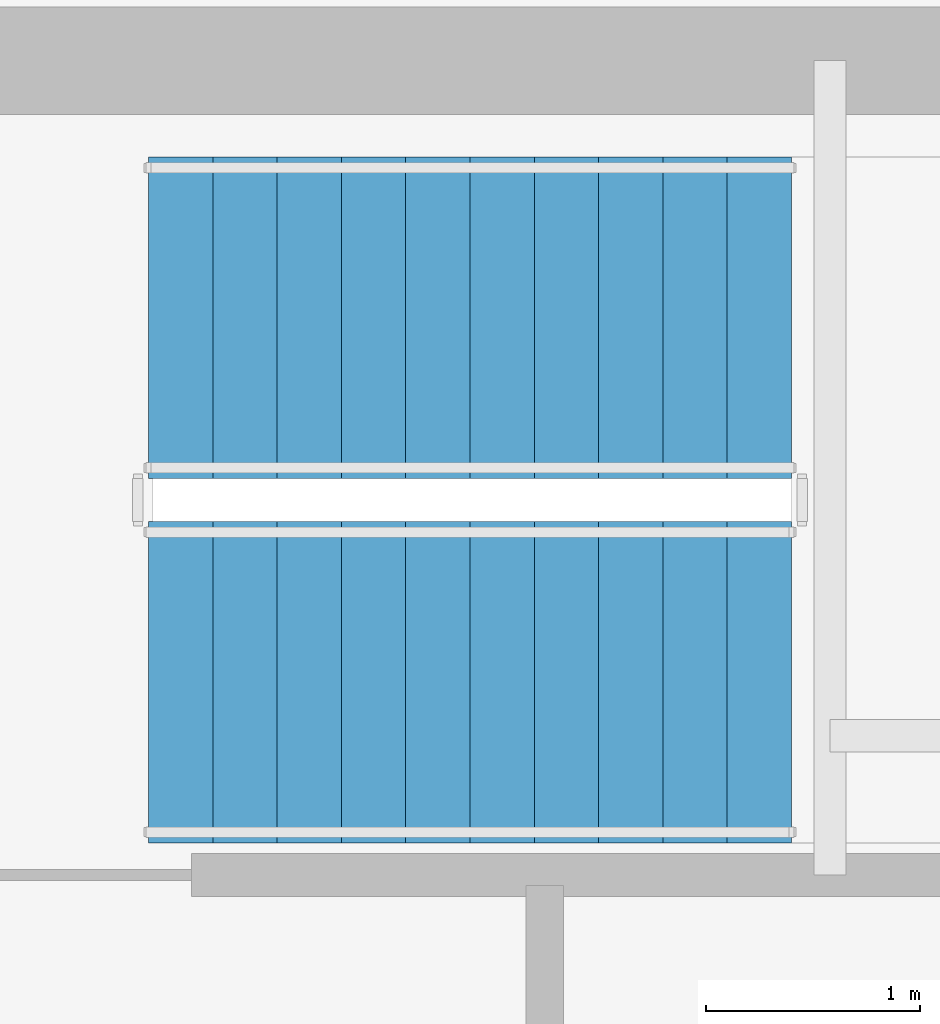
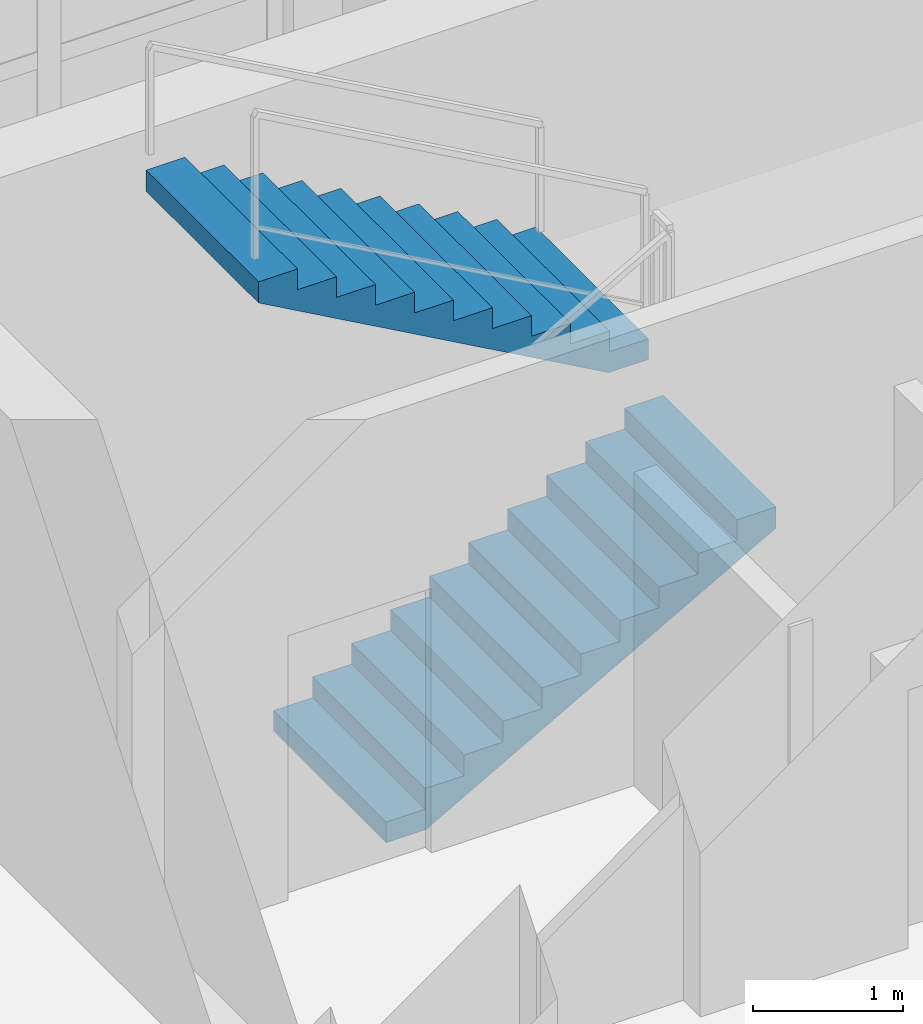
# One storey, part 10 of 12: 2 stair flights, 1 element without a shape of its own.
"""IFC4 building model written with IfcOpenShell, lengths in metres."""

import ifcopenshell
import ifcopenshell.guid

model = None  # the IFC model being written
_history = None  # IfcOwnerHistory: only IFC2X3 demands one
_inside = {}  # id of a spatial element -> (the spatial element, [elements in it])
_under = {}  # id of a project, library or spatial element -> (it, [spatial elements below it])
_declared = {}  # id of a project -> (the project, [libraries it declares])
_typed = {}  # id of a type object -> (the type object, [elements of that type])
_made_of = {}  # id of a material, layer set ... -> (it, [elements and type objects made of it])


def new_model(schema):
    """Start an empty IFC model of exactly this schema.

    Asked for "IFC4X3", IfcOpenShell would pick the latest addendum, in which some entities
    have other attributes; the version numbers below select the first issue.
    IFC2X3 requires an IfcOwnerHistory on every rooted entity: one is made here for all.
    """
    global model, _history
    if schema == "IFC4X3":
        model = ifcopenshell.file(schema_version=(4, 3, 0, 0))
    else:
        model = ifcopenshell.file(schema=schema)
    _inside.clear()
    _under.clear()
    _declared.clear()
    _typed.clear()
    _made_of.clear()
    _history = None
    if model.schema == "IFC2X3":
        org = make("IfcOrganization", Name="unknown")
        user = make(
            "IfcPersonAndOrganization",
            ThePerson=make("IfcPerson", FamilyName="unknown"),
            TheOrganization=org,
        )
        app = make(
            "IfcApplication",
            ApplicationDeveloper=org,
            Version="unknown",
            ApplicationFullName="unknown",
            ApplicationIdentifier="unknown",
        )
        _history = make(
            "IfcOwnerHistory",
            OwningUser=user,
            OwningApplication=app,
            ChangeAction="ADDED",
            CreationDate=0,
        )
    return model


def make(cls, **values):
    """One entity of the class cls with the attributes given. An attribute that is None is left unset."""
    return model.create_entity(
        cls, **{name: value for name, value in values.items() if value is not None}
    )


def rooted(cls, **values):
    """An entity with a GlobalId (a new one), such as an element, a storey or a relation."""
    return make(cls, GlobalId=ifcopenshell.guid.new(), OwnerHistory=_history, **values)


def si_unit(unit_type, name, prefix=None):
    """IfcSIUnit, for example si_unit("LENGTHUNIT", "METRE", prefix="MILLI")."""
    return make("IfcSIUnit", UnitType=unit_type, Prefix=prefix, Name=name)


def assignment(units):
    """IfcUnitAssignment: the units of a project."""
    return None if units is None else make("IfcUnitAssignment", Units=units)


def point(xyz):
    """IfcCartesianPoint."""
    return None if xyz is None else make("IfcCartesianPoint", Coordinates=xyz)


def direction(xyz):
    """IfcDirection."""
    return None if xyz is None else make("IfcDirection", DirectionRatios=xyz)


def frame(location, z_axis=None, x_axis=None):
    """IfcAxis2Placement3D, a coordinate frame: its origin and axes. An axis left out is left unset."""
    return make(
        "IfcAxis2Placement3D",
        Location=point(location),
        Axis=direction(z_axis),
        RefDirection=direction(x_axis),
    )


def origin():
    """The frame at (0, 0, 0) with its axes left unset."""
    return frame((0.0, 0.0, 0.0))


def place(relative_to, where):
    """IfcLocalPlacement: puts the frame where relative to a parent placement (None: the world)."""
    return make(
        "IfcLocalPlacement", PlacementRelTo=relative_to, RelativePlacement=where
    )


def context(
    kind, dimensions, precision=None, world=None, true_north=None, identifier=None
):
    """IfcGeometricRepresentationContext, for example the 3D "Model" context."""
    return make(
        "IfcGeometricRepresentationContext",
        ContextIdentifier=identifier,
        ContextType=kind,
        CoordinateSpaceDimension=dimensions,
        Precision=precision,
        WorldCoordinateSystem=world,
        TrueNorth=true_north,
    )


def subcontext(parent, identifier, kind, view, scale=None):
    """IfcGeometricRepresentationSubContext, for example "Body" below "Model"."""
    return make(
        "IfcGeometricRepresentationSubContext",
        ContextIdentifier=identifier,
        ContextType=kind,
        ParentContext=parent,
        TargetScale=scale,
        TargetView=view,
    )


def project(units=None, contexts=None):
    """IfcProject with its units and contexts."""
    return rooted(
        "IfcProject",
        Name="project",
        RepresentationContexts=contexts,
        UnitsInContext=assignment(units),
    )


def spatial(cls, under=None, at=None, **own):
    """A site, building, storey or space (cls), placed at a placement, below another one or the project."""
    s = rooted(cls, ObjectPlacement=at, **own)
    if under is not None:
        _under.setdefault(under.id(), (under, []))[1].append(s)
    return s


def polyline(points):
    """IfcPolyline through the points."""
    return make("IfcPolyline", Points=[point(p) for p in points])


def outline(outer, holes=None, kind="AREA"):
    """IfcArbitraryClosedProfileDef: a profile drawn as a closed curve; with holes, ...WithVoids."""
    if holes is None:
        return make("IfcArbitraryClosedProfileDef", ProfileType=kind, OuterCurve=outer)
    return make(
        "IfcArbitraryProfileDefWithVoids",
        ProfileType=kind,
        OuterCurve=outer,
        InnerCurves=holes,
    )


def extrude(swept, where, along, depth):
    """IfcExtrudedAreaSolid: the profile swept, set in the frame where, extruded along a direction by depth."""
    return make(
        "IfcExtrudedAreaSolid",
        SweptArea=swept,
        Position=where,
        ExtrudedDirection=direction(along),
        Depth=depth,
    )


def shape(context_of_items, identifier, shape_type, items):
    """IfcShapeRepresentation: the items that make up one representation, for example the "Body"."""
    return make(
        "IfcShapeRepresentation",
        ContextOfItems=context_of_items,
        RepresentationIdentifier=identifier,
        RepresentationType=shape_type,
        Items=items,
    )


def material(Name=None, Category=None):
    """IfcMaterial."""
    return make("IfcMaterial", Name=Name, Category=Category)


def made_of(thing, what):
    """Note that an element or type object is made of a material, layer set ...; save() writes the relation."""
    if what is not None:
        _made_of.setdefault(what.id(), (what, []))[1].append(thing)
    return thing


def type_object(cls, material=None, **own):
    """A type object (cls), such as IfcWallType, which elements share."""
    return made_of(rooted(cls, **own), material)


def element(
    cls,
    number,
    at=None,
    inside=None,
    cuts=None,
    type_object=None,
    material=None,
    context=None,
    identifier="Body",
    shape_type=None,
    held_by="IfcProductDefinitionShape",
    body=None,
    shapes=None,
    **own,
):
    """One element of the class cls, such as IfcWall. Its Tag is "e" and its number.

    at: its placement. inside: the storey or other place that contains it. cuts: it is an
    opening in that element (IfcRelVoidsElement). A single representation is given by context,
    identifier, shape_type and body (its items); several are given by shapes. held_by: the class
    of the entity that holds the representations. save() writes the other relations.
    """
    e = rooted(cls, Tag="e%d" % number, ObjectPlacement=at, **own)
    if body is not None:
        shapes = [shape(context, identifier, shape_type, body)]
    if shapes is not None:
        e.Representation = make(held_by, Representations=shapes)
    if inside is not None:
        _inside.setdefault(inside.id(), (inside, []))[1].append(e)
    if cuts is not None:
        rooted(
            "IfcRelVoidsElement", RelatingBuildingElement=cuts, RelatedOpeningElement=e
        )
    if type_object is not None:
        _typed.setdefault(type_object.id(), (type_object, []))[1].append(e)
    return made_of(e, material)


def aggregate(whole, parts):
    """IfcRelAggregates: a whole, such as a stair, and the parts it consists of."""
    return rooted("IfcRelAggregates", RelatingObject=whole, RelatedObjects=parts)


def save(model, path):
    """Write the relations noted so far, then the file.

    IfcRelAggregates (storeys below a building ...), IfcRelContainedInSpatialStructure (elements
    in a storey), IfcRelDefinesByType, IfcRelAssociatesMaterial and IfcRelDeclares: one each for
    every whole, place, type object, material and project.
    """
    for whole, parts in _under.values():
        aggregate(whole, parts)
    for where, things in _inside.values():
        rooted(
            "IfcRelContainedInSpatialStructure",
            RelatedElements=things,
            RelatingStructure=where,
        )
    for kind, things in _typed.values():
        rooted("IfcRelDefinesByType", RelatedObjects=things, RelatingType=kind)
    for what, things in _made_of.values():
        rooted("IfcRelAssociatesMaterial", RelatedObjects=things, RelatingMaterial=what)
    for by, libraries in _declared.values():
        rooted("IfcRelDeclares", RelatingContext=by, RelatedDefinitions=libraries)
    model.write(path)


model = new_model("IFC4")

# Units and contexts
model_context = context("Model", 3, precision=1e-05, world=origin(), true_north=direction((0.0, 1.0)))
body_context = subcontext(model_context, "Body", "Model", "MODEL_VIEW")
ifc_project = project(units=[si_unit("LENGTHUNIT", "METRE"), si_unit("AREAUNIT", "SQUARE_METRE"), si_unit("VOLUMEUNIT", "CUBIC_METRE"), si_unit("PLANEANGLEUNIT", "RADIAN"), si_unit("MASSUNIT", "GRAM", prefix="KILO")], contexts=[model_context])

# Site, building, storey
site_placement = place(None, origin())
site = spatial("IfcSite", under=ifc_project, at=site_placement, CompositionType="ELEMENT")
building_placement = place(site_placement, origin())
building = spatial("IfcBuilding", under=site, at=building_placement, Name="Svetorya Sky Lyceum", CompositionType="ELEMENT")
storey_placement = place(building_placement, frame((0.0, 0.0, 158.89990234375)))
storey = spatial("IfcBuildingStorey", under=building, at=storey_placement, Name="L39", CompositionType="ELEMENT", Elevation=158.89990234375)

# Stair, stair flights
ifc_material = material(Name="Concrete C40/50", Category="concrete")
stair_type = type_object("IfcStairType", Name="STR-ST-N", PredefinedType="HALF_TURN_STAIR", material=ifc_material)
stair_placement = place(storey_placement, origin())
stair = element("IfcStair", 1, at=stair_placement, inside=storey, type_object=stair_type, Name="L39 North Core Smoke-Free Exit Stair N3", PredefinedType="HALF_TURN_STAIR")
stair_flight_type = type_object("IfcStairFlightType", Name="SFL-ST-N", PredefinedType="STRAIGHT", material=ifc_material)
stair_flight_1_placement = place(storey_placement, frame((27.699951171875, 42.89990234375, 0.0), z_axis=(0.0, 0.0, 1.0), x_axis=(1.0, 0.0, 0.0)))
stair_flight_1 = element("IfcStairFlight", 2, at=stair_flight_1_placement, type_object=stair_flight_type, Name="ST-N flight 1", NumberOfRisers=11, NumberOfTreads=10, PredefinedType="STRAIGHT", RiserHeight=0.168181818, TreadLength=0.3, context=body_context, shape_type="SweptSolid", body=[
    extrude(outline(polyline([(0.0, 0.0), (0.0, 0.168212890625), (0.300048828125, 0.168212890625), (0.300048828125, 0.33642578125), (0.60009765625, 0.33642578125), (0.60009765625, 0.504638671875), (0.89990234375, 0.504638671875), (0.89990234375, 0.672607421875), (1.199951171875, 0.672607421875), (1.199951171875, 0.8408203125), (1.5, 0.8408203125), (1.5, 1.009033203125), (1.800048828125, 1.009033203125), (1.800048828125, 1.17724609375), (2.10009765625, 1.17724609375), (2.10009765625, 1.345458984375), (2.39990234375, 1.345458984375), (2.39990234375, 1.513671875), (2.699951171875, 1.513671875), (2.699951171875, 1.681884765625), (3.0, 1.681884765625), (3.0, 1.85009765625), (3.0, 1.510009765625), (0.306640625, 0.0), (0.0, 0.0)])), frame((0.0, 0.75, 0.0), z_axis=(0.0, -1.0, 0.0), x_axis=(1.0, 0.0, 0.0)), (0.0, 0.0, 1.0), 1.5),
])
stair_flight_2_placement = place(storey_placement, frame((30.699951171875, 44.60009765625, 1.85009765625), z_axis=(0.0, 0.0, 1.0), x_axis=(-1.0, 0.0, 0.0)))
stair_flight_2 = element("IfcStairFlight", 3, at=stair_flight_2_placement, type_object=stair_flight_type, Name="ST-N flight 2", NumberOfRisers=11, NumberOfTreads=10, PredefinedType="STRAIGHT", RiserHeight=0.168181818, TreadLength=0.3, context=body_context, shape_type="SweptSolid", body=[
    extrude(outline(polyline([(0.0, 0.0), (0.0, 0.168212890625), (0.300048828125, 0.168212890625), (0.300048828125, 0.33642578125), (0.60009765625, 0.33642578125), (0.60009765625, 0.504638671875), (0.89990234375, 0.504638671875), (0.89990234375, 0.672607421875), (1.199951171875, 0.672607421875), (1.199951171875, 0.8408203125), (1.5, 0.8408203125), (1.5, 1.009033203125), (1.800048828125, 1.009033203125), (1.800048828125, 1.17724609375), (2.10009765625, 1.17724609375), (2.10009765625, 1.345458984375), (2.39990234375, 1.345458984375), (2.39990234375, 1.513671875), (2.699951171875, 1.513671875), (2.699951171875, 1.681884765625), (3.0, 1.681884765625), (3.0, 1.85009765625), (3.0, 1.510009765625), (0.306640625, 0.0), (0.0, 0.0)])), frame((0.0, 0.75, 0.0), z_axis=(0.0, -1.0, 0.0), x_axis=(1.0, 0.0, 0.0)), (0.0, 0.0, 1.0), 1.5),
])
aggregate(stair, [stair_flight_1, stair_flight_2])

save(model, "model.ifc")
